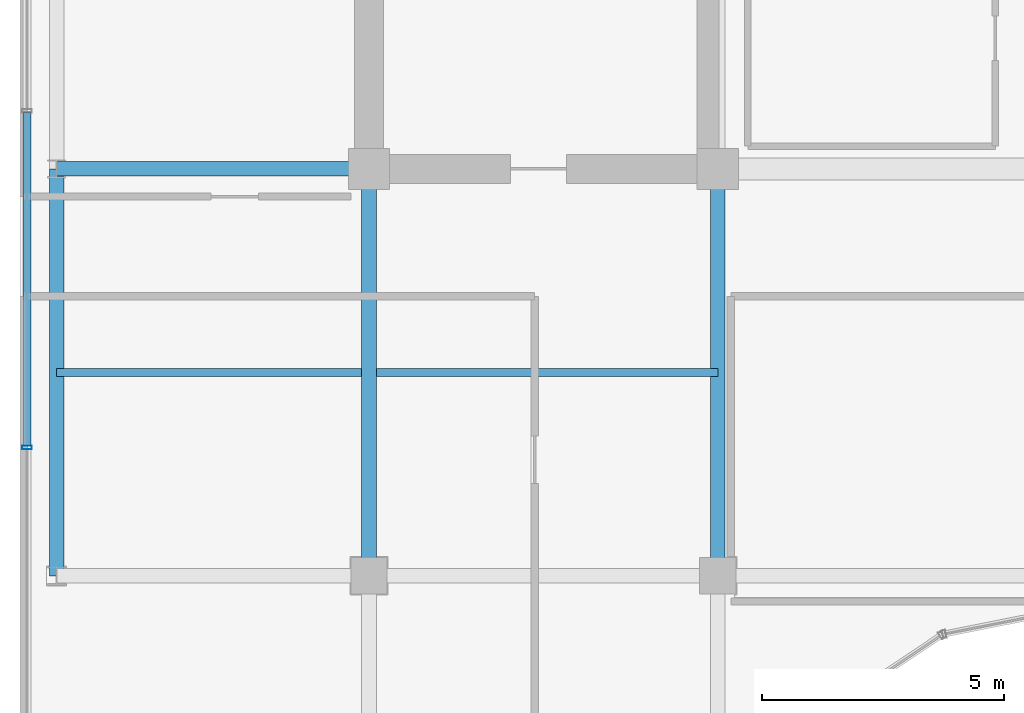
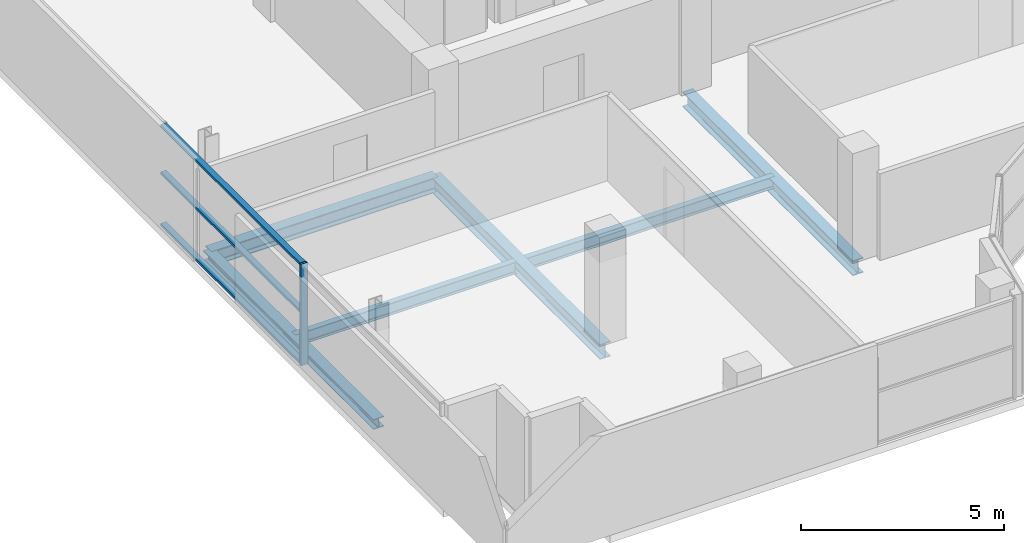
# One storey, part 4 of 29: 6 beams, 4 members, 1 element without a shape of its own.
"""IFC4 building model written with IfcOpenShell, lengths in metres."""

import ifcopenshell
import ifcopenshell.guid

model = None  # the IFC model being written
_history = None  # IfcOwnerHistory: only IFC2X3 demands one
_inside = {}  # id of a spatial element -> (the spatial element, [elements in it])
_under = {}  # id of a project, library or spatial element -> (it, [spatial elements below it])
_declared = {}  # id of a project -> (the project, [libraries it declares])
_typed = {}  # id of a type object -> (the type object, [elements of that type])
_made_of = {}  # id of a material, layer set ... -> (it, [elements and type objects made of it])


def new_model(schema):
    """Start an empty IFC model of exactly this schema.

    Asked for "IFC4X3", IfcOpenShell would pick the latest addendum, in which some entities
    have other attributes; the version numbers below select the first issue.
    IFC2X3 requires an IfcOwnerHistory on every rooted entity: one is made here for all.
    """
    global model, _history
    if schema == "IFC4X3":
        model = ifcopenshell.file(schema_version=(4, 3, 0, 0))
    else:
        model = ifcopenshell.file(schema=schema)
    _inside.clear()
    _under.clear()
    _declared.clear()
    _typed.clear()
    _made_of.clear()
    _history = None
    if model.schema == "IFC2X3":
        org = make("IfcOrganization", Name="unknown")
        user = make(
            "IfcPersonAndOrganization",
            ThePerson=make("IfcPerson", FamilyName="unknown"),
            TheOrganization=org,
        )
        app = make(
            "IfcApplication",
            ApplicationDeveloper=org,
            Version="unknown",
            ApplicationFullName="unknown",
            ApplicationIdentifier="unknown",
        )
        _history = make(
            "IfcOwnerHistory",
            OwningUser=user,
            OwningApplication=app,
            ChangeAction="ADDED",
            CreationDate=0,
        )
    return model


def make(cls, **values):
    """One entity of the class cls with the attributes given. An attribute that is None is left unset."""
    return model.create_entity(
        cls, **{name: value for name, value in values.items() if value is not None}
    )


def rooted(cls, **values):
    """An entity with a GlobalId (a new one), such as an element, a storey or a relation."""
    return make(cls, GlobalId=ifcopenshell.guid.new(), OwnerHistory=_history, **values)


def si_unit(unit_type, name, prefix=None):
    """IfcSIUnit, for example si_unit("LENGTHUNIT", "METRE", prefix="MILLI")."""
    return make("IfcSIUnit", UnitType=unit_type, Prefix=prefix, Name=name)


def assignment(units):
    """IfcUnitAssignment: the units of a project."""
    return None if units is None else make("IfcUnitAssignment", Units=units)


def point(xyz):
    """IfcCartesianPoint."""
    return None if xyz is None else make("IfcCartesianPoint", Coordinates=xyz)


def direction(xyz):
    """IfcDirection."""
    return None if xyz is None else make("IfcDirection", DirectionRatios=xyz)


def frame(location, z_axis=None, x_axis=None):
    """IfcAxis2Placement3D, a coordinate frame: its origin and axes. An axis left out is left unset."""
    return make(
        "IfcAxis2Placement3D",
        Location=point(location),
        Axis=direction(z_axis),
        RefDirection=direction(x_axis),
    )


def frame_2d(location, x_axis=None):
    """IfcAxis2Placement2D, a coordinate frame in the plane: its origin and x axis."""
    return make(
        "IfcAxis2Placement2D", Location=point(location), RefDirection=direction(x_axis)
    )


def origin():
    """The frame at (0, 0, 0) with its axes left unset."""
    return frame((0.0, 0.0, 0.0))


def origin_2d():
    """The frame at (0, 0) in the plane with its x axis left unset."""
    return frame_2d((0.0, 0.0))


def place(relative_to, where):
    """IfcLocalPlacement: puts the frame where relative to a parent placement (None: the world)."""
    return make(
        "IfcLocalPlacement", PlacementRelTo=relative_to, RelativePlacement=where
    )


def context(
    kind, dimensions, precision=None, world=None, true_north=None, identifier=None
):
    """IfcGeometricRepresentationContext, for example the 3D "Model" context."""
    return make(
        "IfcGeometricRepresentationContext",
        ContextIdentifier=identifier,
        ContextType=kind,
        CoordinateSpaceDimension=dimensions,
        Precision=precision,
        WorldCoordinateSystem=world,
        TrueNorth=true_north,
    )


def subcontext(parent, identifier, kind, view, scale=None):
    """IfcGeometricRepresentationSubContext, for example "Body" below "Model"."""
    return make(
        "IfcGeometricRepresentationSubContext",
        ContextIdentifier=identifier,
        ContextType=kind,
        ParentContext=parent,
        TargetScale=scale,
        TargetView=view,
    )


def project(units=None, contexts=None):
    """IfcProject with its units and contexts."""
    return rooted(
        "IfcProject",
        Name="project",
        RepresentationContexts=contexts,
        UnitsInContext=assignment(units),
    )


def spatial(cls, under=None, at=None, **own):
    """A site, building, storey or space (cls), placed at a placement, below another one or the project."""
    s = rooted(cls, ObjectPlacement=at, **own)
    if under is not None:
        _under.setdefault(under.id(), (under, []))[1].append(s)
    return s


def profile(cls, at=None, kind="AREA", **sizes):
    """A parametric profile (cls). Its sizes go by their IFC names, for example OverallWidth=200.0."""
    return make(cls, ProfileType=kind, Position=at, **sizes)


def hollow_rectangle(**sizes):
    """IfcRectangleHollowProfileDef."""
    return profile("IfcRectangleHollowProfileDef", **sizes)


def i_section(**sizes):
    """IfcIShapeProfileDef."""
    return profile("IfcIShapeProfileDef", **sizes)


def extrude(swept, where, along, depth):
    """IfcExtrudedAreaSolid: the profile swept, set in the frame where, extruded along a direction by depth."""
    return make(
        "IfcExtrudedAreaSolid",
        SweptArea=swept,
        Position=where,
        ExtrudedDirection=direction(along),
        Depth=depth,
    )


def shape(context_of_items, identifier, shape_type, items):
    """IfcShapeRepresentation: the items that make up one representation, for example the "Body"."""
    return make(
        "IfcShapeRepresentation",
        ContextOfItems=context_of_items,
        RepresentationIdentifier=identifier,
        RepresentationType=shape_type,
        Items=items,
    )


def source(mapping_origin, context_of_items, identifier, shape_type, items):
    """IfcRepresentationMap: a shape defined once, which mapped items show again and again."""
    return make(
        "IfcRepresentationMap",
        MappingOrigin=mapping_origin,
        MappedRepresentation=shape(context_of_items, identifier, shape_type, items),
    )


def transform(
    local_origin,
    x_axis=None,
    y_axis=None,
    z_axis=None,
    scale=None,
    scale2=None,
    scale3=None,
    uniform=True,
):
    """IfcCartesianTransformationOperator3D, or its non-uniform kind. x_axis, y_axis, z_axis: its Axis1, 2, 3."""
    if uniform:
        return make(
            "IfcCartesianTransformationOperator3D",
            Axis1=direction(x_axis),
            Axis2=direction(y_axis),
            LocalOrigin=point(local_origin),
            Scale=scale,
            Axis3=direction(z_axis),
        )
    return make(
        "IfcCartesianTransformationOperator3DnonUniform",
        Axis1=direction(x_axis),
        Axis2=direction(y_axis),
        LocalOrigin=point(local_origin),
        Scale=scale,
        Axis3=direction(z_axis),
        Scale2=scale2,
        Scale3=scale3,
    )


def mapped(mapping_source, mapping_target):
    """IfcMappedItem: shows the shape of a source again, moved by a transform."""
    return make(
        "IfcMappedItem", MappingSource=mapping_source, MappingTarget=mapping_target
    )


def material(Name=None, Category=None):
    """IfcMaterial."""
    return make("IfcMaterial", Name=Name, Category=Category)


def layer(
    of_material, thickness, ventilated=None, Name=None, Category=None, Priority=None
):
    """IfcMaterialLayer: one layer of a wall or slab, of a material (None: an air gap)."""
    return make(
        "IfcMaterialLayer",
        Material=of_material,
        LayerThickness=thickness,
        IsVentilated=ventilated,
        Name=Name,
        Category=Category,
        Priority=Priority,
    )


def layer_set(layers, Name=None):
    """IfcMaterialLayerSet."""
    return make("IfcMaterialLayerSet", MaterialLayers=layers, LayerSetName=Name)


def material_profile(
    of_material, cross_section, Name=None, Category=None, Priority=None
):
    """IfcMaterialProfile: a cross section and its material."""
    return make(
        "IfcMaterialProfile",
        Name=Name,
        Material=of_material,
        Profile=cross_section,
        Priority=Priority,
        Category=Category,
    )


def profile_set(profiles, Name=None, composite=None):
    """IfcMaterialProfileSet."""
    return make(
        "IfcMaterialProfileSet",
        Name=Name,
        MaterialProfiles=profiles,
        CompositeProfile=composite,
    )


def made_of(thing, what):
    """Note that an element or type object is made of a material, layer set ...; save() writes the relation."""
    if what is not None:
        _made_of.setdefault(what.id(), (what, []))[1].append(thing)
    return thing


def type_object(cls, material=None, **own):
    """A type object (cls), such as IfcWallType, which elements share."""
    return made_of(rooted(cls, **own), material)


def element(
    cls,
    number,
    at=None,
    inside=None,
    cuts=None,
    type_object=None,
    material=None,
    context=None,
    identifier="Body",
    shape_type=None,
    held_by="IfcProductDefinitionShape",
    body=None,
    shapes=None,
    **own,
):
    """One element of the class cls, such as IfcWall. Its Tag is "e" and its number.

    at: its placement. inside: the storey or other place that contains it. cuts: it is an
    opening in that element (IfcRelVoidsElement). A single representation is given by context,
    identifier, shape_type and body (its items); several are given by shapes. held_by: the class
    of the entity that holds the representations. save() writes the other relations.
    """
    e = rooted(cls, Tag="e%d" % number, ObjectPlacement=at, **own)
    if body is not None:
        shapes = [shape(context, identifier, shape_type, body)]
    if shapes is not None:
        e.Representation = make(held_by, Representations=shapes)
    if inside is not None:
        _inside.setdefault(inside.id(), (inside, []))[1].append(e)
    if cuts is not None:
        rooted(
            "IfcRelVoidsElement", RelatingBuildingElement=cuts, RelatedOpeningElement=e
        )
    if type_object is not None:
        _typed.setdefault(type_object.id(), (type_object, []))[1].append(e)
    return made_of(e, material)


def aggregate(whole, parts):
    """IfcRelAggregates: a whole, such as a stair, and the parts it consists of."""
    return rooted("IfcRelAggregates", RelatingObject=whole, RelatedObjects=parts)


def save(model, path):
    """Write the relations noted so far, then the file.

    IfcRelAggregates (storeys below a building ...), IfcRelContainedInSpatialStructure (elements
    in a storey), IfcRelDefinesByType, IfcRelAssociatesMaterial and IfcRelDeclares: one each for
    every whole, place, type object, material and project.
    """
    for whole, parts in _under.values():
        aggregate(whole, parts)
    for where, things in _inside.values():
        rooted(
            "IfcRelContainedInSpatialStructure",
            RelatedElements=things,
            RelatingStructure=where,
        )
    for kind, things in _typed.values():
        rooted("IfcRelDefinesByType", RelatedObjects=things, RelatingType=kind)
    for what, things in _made_of.values():
        rooted("IfcRelAssociatesMaterial", RelatedObjects=things, RelatingMaterial=what)
    for by, libraries in _declared.values():
        rooted("IfcRelDeclares", RelatingContext=by, RelatedDefinitions=libraries)
    model.write(path)


model = new_model("IFC4")

# Units and contexts
model_context = context("Model", 3, precision=1e-05, world=origin(), true_north=direction((0.0, 1.0)))
body_context = subcontext(model_context, "Body", "Model", "MODEL_VIEW")
ifc_project = project(units=[si_unit("LENGTHUNIT", "METRE"), si_unit("AREAUNIT", "SQUARE_METRE"), si_unit("VOLUMEUNIT", "CUBIC_METRE"), si_unit("PLANEANGLEUNIT", "RADIAN"), si_unit("MASSUNIT", "GRAM", prefix="KILO")], contexts=[model_context])

# Site, building, storey
site_placement = place(None, origin())
site = spatial("IfcSite", under=ifc_project, at=site_placement, CompositionType="ELEMENT")
building_placement = place(site_placement, origin())
building = spatial("IfcBuilding", under=site, at=building_placement, Name="Zarnakvel Exchange Tower", CompositionType="ELEMENT")
storey_placement = place(building_placement, frame((0.0, 0.0, 265.0)))
storey = spatial("IfcBuildingStorey", under=building, at=storey_placement, Name="L75", CompositionType="ELEMENT", Elevation=265.0)

# Beams
ifc_material_1 = material(Name="Steel S355", Category="steel")
ifc_material_profile_1 = material_profile(ifc_material_1, i_section(OverallWidth=0.169921875, OverallDepth=0.360107421875, WebThickness=0.008056640625, FlangeThickness=0.0126953125, FilletRadius=0.01806640625, at=origin_2d()))
ifc_profile_set_1 = profile_set([ifc_material_profile_1], Name="Steel S355")
beam_type_1 = type_object("IfcBeamType", Name="B-07", PredefinedType="JOIST", material=ifc_profile_set_1)
beam_1_placement = place(storey_placement, frame((-20.85009765625, -5.39990234375, -0.405029296875), z_axis=(1.0, 0.0, 0.0), x_axis=(0.0, 1.0, 0.0)))
element("IfcBeam", 1, at=beam_1_placement, inside=storey, type_object=beam_type_1, Name="L75 Composite Floor Secondary Joist", PredefinedType="JOIST", context=body_context, shape_type="SweptSolid", body=[
    extrude(i_section(OverallWidth=0.169921875, OverallDepth=0.360107421875, WebThickness=0.008056640625, FlangeThickness=0.0126953125, FilletRadius=0.01806640625, at=origin_2d()), origin(), (0.0, 0.0, 1.0), 6.300048828125),
])
beam_2_placement = place(storey_placement, frame((-14.25, -5.39990234375, -0.405029296875), z_axis=(1.0, 0.0, 0.0), x_axis=(0.0, 1.0, 0.0)))
element("IfcBeam", 2, at=beam_2_placement, inside=storey, type_object=beam_type_1, Name="L75 Composite Floor Secondary Joist", PredefinedType="JOIST", context=body_context, shape_type="SweptSolid", body=[
    extrude(i_section(OverallWidth=0.169921875, OverallDepth=0.360107421875, WebThickness=0.008056640625, FlangeThickness=0.0126953125, FilletRadius=0.01806640625, at=origin_2d()), origin(), (0.0, 0.0, 1.0), 7.050048828125),
])
ifc_material_profile_2 = material_profile(ifc_material_1, i_section(OverallWidth=0.300048828125, OverallDepth=0.449951171875, WebThickness=0.013916015625, FlangeThickness=0.02587890625, FilletRadius=0.027099609375, at=origin_2d()))
ifc_profile_set_2 = profile_set([ifc_material_profile_2], Name="Steel S355")
beam_type_2 = type_object("IfcBeamType", Name="G-07", PredefinedType="BEAM", material=ifc_profile_set_2)
beam_3_placement = place(storey_placement, frame((-20.85009765625, -1.199951171875, -0.449951171875), z_axis=(1.0, 0.0, 0.0), x_axis=(0.0, 1.0, 0.0)))
element("IfcBeam", 3, at=beam_3_placement, inside=storey, type_object=beam_type_2, Name="L75 Tower E-W Frame Beam", PredefinedType="BEAM", context=body_context, shape_type="SweptSolid", body=[
    extrude(i_section(OverallWidth=0.300048828125, OverallDepth=0.449951171875, WebThickness=0.013916015625, FlangeThickness=0.02587890625, FilletRadius=0.027099609375, at=origin_2d()), origin(), (0.0, 0.0, 1.0), 6.4501953125),
])
for number, where, z_axis, x_axis, name in (
    (4, (-14.39990234375, -9.60009765625, -0.449951171875), (0.0, 1.0, 0.0), (-1.0, 0.0, 0.0), "L75 Tower N-S Frame Beam"),
    (5, (-7.199951171875, -9.60009765625, -0.449951171875), (0.0, 1.0, 0.0), (-1.0, 0.0, 0.0), "L75 Tower N-S Frame Beam"),
):
    element("IfcBeam", number, at=place(storey_placement, frame(where, z_axis=z_axis, x_axis=x_axis)), inside=storey, type_object=beam_type_2, Name=name, PredefinedType="BEAM", context=body_context, shape_type="SweptSolid", body=[
        extrude(i_section(OverallWidth=0.300048828125, OverallDepth=0.449951171875, WebThickness=0.013916015625, FlangeThickness=0.02587890625, FilletRadius=0.027099609375, at=origin_2d()), origin(), (0.0, 0.0, 1.0), 8.400146484375),
    ])
ifc_material_profile_3 = material_profile(ifc_material_1, i_section(OverallWidth=0.300048828125, OverallDepth=0.300048828125, WebThickness=0.010986328125, FlangeThickness=0.01904296875, FilletRadius=0.027099609375, at=origin_2d()))
ifc_profile_set_3 = profile_set([ifc_material_profile_3], Name="Steel S355")
beam_type_3 = type_object("IfcBeamType", Name="SP-03", PredefinedType="SPANDREL", material=ifc_profile_set_3)
beam_4_placement = place(storey_placement, frame((-20.85009765625, -9.60009765625, -0.375), z_axis=(0.0, 1.0, 0.0), x_axis=(-1.0, 0.0, 0.0)))
element("IfcBeam", 6, at=beam_4_placement, inside=storey, type_object=beam_type_3, Name="L75 Tower N-S Frame Beam", PredefinedType="SPANDREL", context=body_context, shape_type="SweptSolid", body=[
    extrude(i_section(OverallWidth=0.300048828125, OverallDepth=0.300048828125, WebThickness=0.010986328125, FlangeThickness=0.01904296875, FilletRadius=0.027099609375, at=origin_2d()), origin(), (0.0, 0.0, 1.0), 8.400146484375),
])

# Curtain wall, members
ifc_material_2 = material(Name="Architectural Bronze Anodised Aluminium", Category="aluminium")
ifc_layer = layer(ifc_material_2, 0.199951171875)
ifc_layer_set = layer_set([ifc_layer], Name="Architectural Bronze Anodised Aluminium")
curtain_wall_type = type_object("IfcCurtainWallType", Name="CW-04", PredefinedType="NOTDEFINED", material=ifc_layer_set)
curtain_wall_placement = place(storey_placement, origin())
curtain_wall = element("IfcCurtainWall", 7, at=curtain_wall_placement, inside=storey, type_object=curtain_wall_type, Name="L75 Curtain Wall CW-L75-W1 (CW-04)", PredefinedType="NOTDEFINED")
ifc_material_profile_4 = material_profile(ifc_material_2, hollow_rectangle(XDim=0.199951171875, YDim=0.074951171875, WallThickness=0.0048828125, at=origin_2d()))
ifc_profile_set_4 = profile_set([ifc_material_profile_4], Name="Architectural Bronze Anodised Aluminium")
member_type_1 = type_object("IfcMemberType", Name="CWM-04", PredefinedType="MULLION", material=ifc_profile_set_4)
shared_shape_1 = source(origin(), body_context, "Body", "SweptSolid", [
    extrude(hollow_rectangle(XDim=0.199951171875, YDim=0.074951171875, WallThickness=0.0048828125, at=origin_2d()), origin(), (0.0, 0.0, 1.0), 3.054931640625),
])
member_1_placement = place(storey_placement, frame((-21.4599609375, -6.949951171875, 0.0), z_axis=(0.0, 0.0, 1.0), x_axis=(-1.0, 0.0, 0.0)))
member_1 = element("IfcMember", 8, at=member_1_placement, type_object=member_type_1, Name="CW-04 mullion 2", PredefinedType="MULLION", context=body_context, shape_type="MappedRepresentation", body=[
    mapped(shared_shape_1, transform((0.0, 0.0, 0.0), x_axis=(1.0, 0.0, 0.0), y_axis=(0.0, 1.0, 0.0), z_axis=(0.0, 0.0, 1.0), scale=1.0)),
])
ifc_material_profile_5 = material_profile(ifc_material_2, hollow_rectangle(XDim=0.159912109375, YDim=0.074951171875, WallThickness=0.00390625, at=origin_2d()))
ifc_profile_set_5 = profile_set([ifc_material_profile_5], Name="Architectural Bronze Anodised Aluminium")
member_type_2 = type_object("IfcMemberType", Name="CWT-04", PredefinedType="USERDEFINED", material=ifc_profile_set_5)
shared_shape_2 = source(origin(), body_context, "Body", "SweptSolid", [
    extrude(hollow_rectangle(XDim=0.159912109375, YDim=0.074951171875, WallThickness=0.00390625, at=origin_2d()), origin(), (0.0, 0.0, 1.0), 6.875),
])
member_2_placement = place(storey_placement, frame((-21.4599609375, -6.91259765625, 0.03759765625), z_axis=(0.0, 1.0, 0.0), x_axis=(-1.0, 0.0, 0.0)))
member_2 = element("IfcMember", 9, at=member_2_placement, type_object=member_type_2, Name="CW-04 transom 2.1", ObjectType="TRANSOM", PredefinedType="USERDEFINED", context=body_context, shape_type="MappedRepresentation", body=[
    mapped(shared_shape_2, transform((0.0, 0.0, 0.0), x_axis=(1.0, 0.0, 0.0), y_axis=(0.0, 1.0, 0.0), z_axis=(0.0, 0.0, 1.0), scale=1.0)),
])
member_3_placement = place(storey_placement, frame((-21.4599609375, -6.91259765625, 1.588623046875), z_axis=(0.0, 1.0, 0.0), x_axis=(-1.0, 0.0, 0.0)))
member_3 = element("IfcMember", 10, at=member_3_placement, type_object=member_type_2, Name="CW-04 transom 2.2", ObjectType="TRANSOM", PredefinedType="USERDEFINED", context=body_context, shape_type="MappedRepresentation", body=[
    mapped(shared_shape_2, transform((0.0, 0.0, 0.0), x_axis=(1.0, 0.0, 0.0), y_axis=(0.0, 1.0, 0.0), z_axis=(0.0, 0.0, 1.0), scale=1.0)),
])
member_4_placement = place(storey_placement, frame((-21.4599609375, -6.91259765625, 3.017578125), z_axis=(0.0, 1.0, 0.0), x_axis=(-1.0, 0.0, 0.0)))
member_4 = element("IfcMember", 11, at=member_4_placement, type_object=member_type_2, Name="CW-04 transom 2.3", ObjectType="TRANSOM", PredefinedType="USERDEFINED", context=body_context, shape_type="MappedRepresentation", body=[
    mapped(shared_shape_2, transform((0.0, 0.0, 0.0), x_axis=(1.0, 0.0, 0.0), y_axis=(0.0, 1.0, 0.0), z_axis=(0.0, 0.0, 1.0), scale=1.0)),
])
aggregate(curtain_wall, [member_1, member_2, member_3, member_4])

save(model, "model.ifc")
